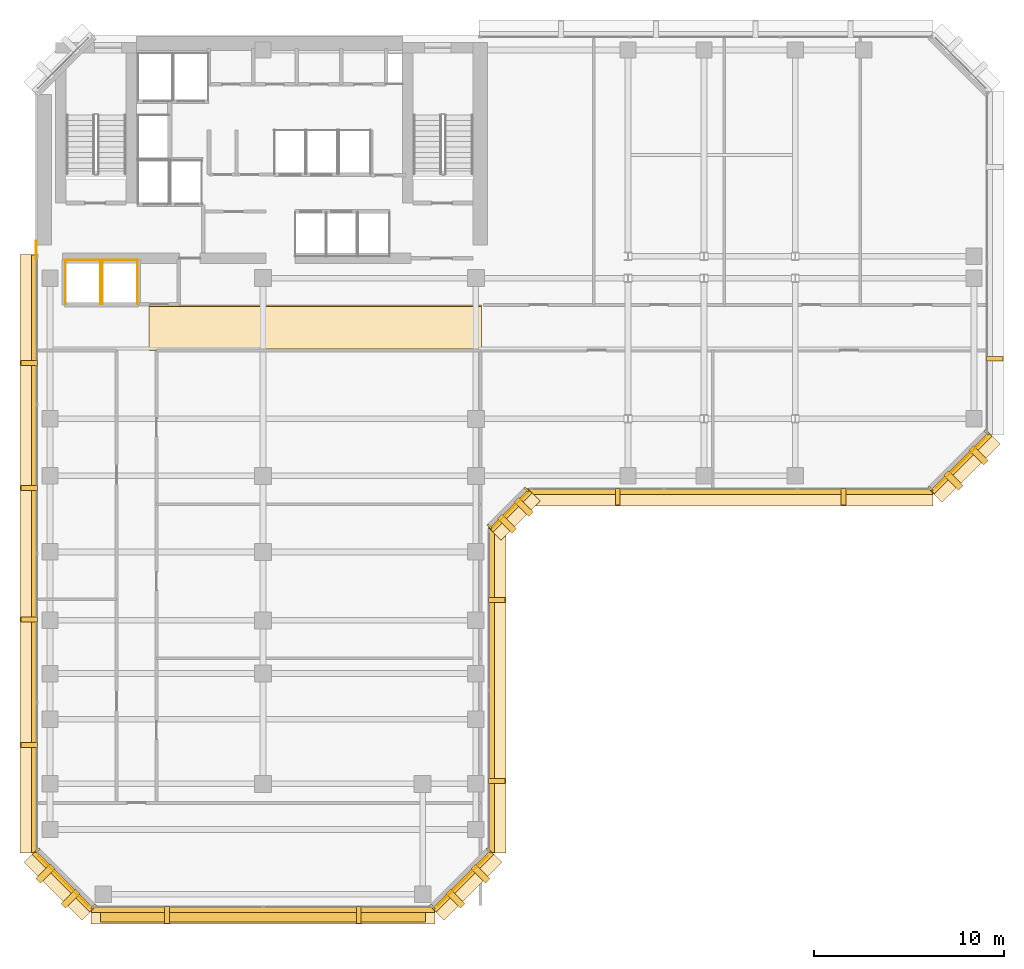
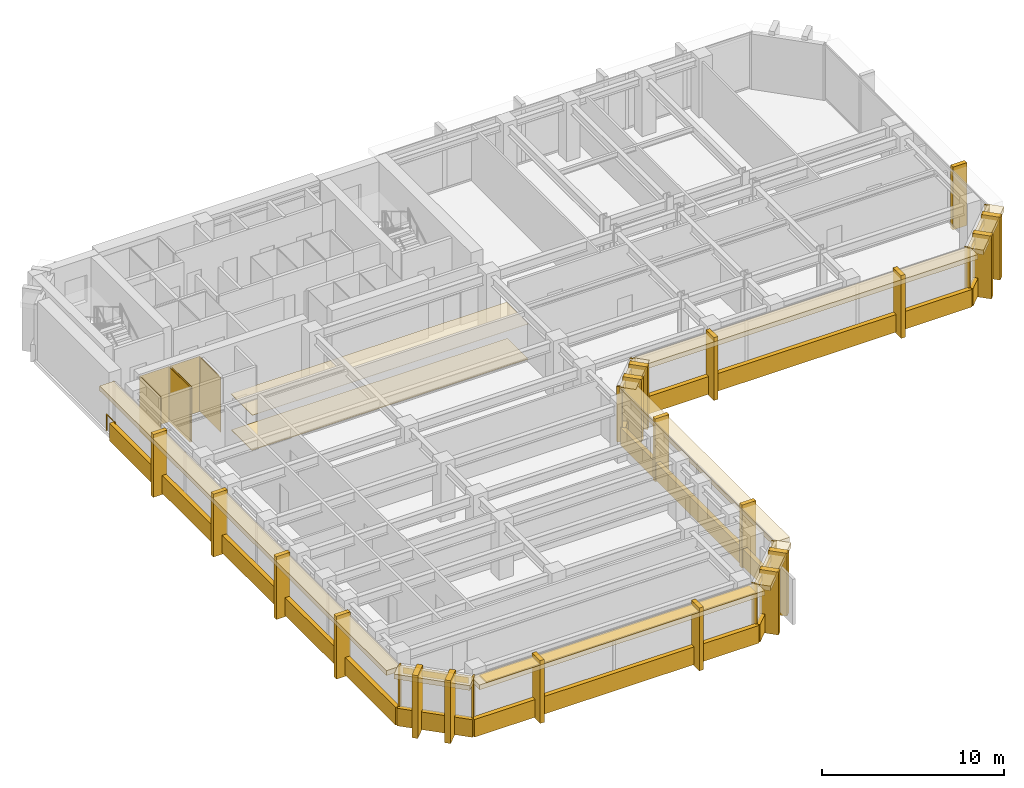
# One storey, part 9 of 11: 55 coverings, 1 railing, 1 shading device.
"""IFC4 building model written with IfcOpenShell, lengths in metres."""

from ifc_helpers import new_model, si_unit, direction, frame, origin, origin_2d, place, context, subcontext, project, spatial, polyline, rectangle, circle, outline, extrude, material, layer, layer_set, type_object, element, save


model = new_model("IFC4")

# Units and contexts
model_context = context("Model", 3, precision=1e-05, world=origin(), true_north=direction((0.0, 1.0)))
body_context = subcontext(model_context, "Body", "Model", "MODEL_VIEW")
ifc_project = project(units=[si_unit("LENGTHUNIT", "METRE"), si_unit("AREAUNIT", "SQUARE_METRE"), si_unit("VOLUMEUNIT", "CUBIC_METRE"), si_unit("PLANEANGLEUNIT", "RADIAN"), si_unit("MASSUNIT", "GRAM", prefix="KILO")], contexts=[model_context])

# Site, building, storey
site_placement = place(None, origin())
site = spatial("IfcSite", under=ifc_project, at=site_placement, CompositionType="ELEMENT")
building_placement = place(site_placement, origin())
building = spatial("IfcBuilding", under=site, at=building_placement, Name="Kefirva Bronze Tower", CompositionType="ELEMENT")
storey_placement = place(building_placement, frame((0.0, 0.0, 134.969970703125)))
storey = spatial("IfcBuildingStorey", under=building, at=storey_placement, Name="L32", CompositionType="ELEMENT", Elevation=134.969970703125)

# Coverings
ifc_material_1 = material(Name="Acoustic mineral tile")
ifc_layer_1 = layer(ifc_material_1, 0.02490234375, Name="Acoustic mineral tile")
ifc_layer_set_1 = layer_set([ifc_layer_1], Name="Acoustic mineral tile")
covering_type_1 = type_object("IfcCoveringType", Name="Acoustic Mineral Suspended Ceiling 25mm", PredefinedType="CEILING", material=ifc_layer_set_1)
covering_1_placement = place(storey_placement, frame((0.0, 0.0, 2.400146484375)))
element("IfcCovering", 1, at=covering_1_placement, inside=storey, type_object=covering_type_1, Name="L32 Corridor Acoustic Ceiling", PredefinedType="CEILING", context=body_context, shape_type="SweptSolid", body=[
    extrude(outline(polyline([(6.0, 29.39990234375), (23.5, 29.39990234375), (23.5, 31.800048828125), (6.0, 31.800048828125), (6.0, 29.39990234375)])), origin(), (0.0, 0.0, 1.0), 0.02490234375),
])
ifc_material_2 = material(Name="Bronze anodised aluminium", Category="aluminium")
ifc_layer_2 = layer(ifc_material_2, 0.02001953125, Name="Bronze anodised aluminium")
ifc_layer_set_2 = layer_set([ifc_layer_2], Name="Bronze anodised aluminium")
covering_type_2 = type_object("IfcCoveringType", Name="Anodised Bronze Spandrel Cladding 20mm", PredefinedType="CLADDING", material=ifc_layer_set_2)
covering_2_placement = place(storey_placement, frame((12.0, -0.0400390625, -0.16015625), z_axis=(0.0, 0.0, 1.0), x_axis=(1.0, 0.0, 0.0)))
element("IfcCovering", 2, at=covering_2_placement, inside=storey, type_object=covering_type_2, Name="L32 Streamline Horizontal Spandrel Band 0", PredefinedType="CLADDING", context=body_context, shape_type="SweptSolid", body=[
    extrude(rectangle(XDim=18.0400390625, YDim=0.280029296875, at=origin_2d()), origin(), (0.0, 0.0, 1.0), 1.179931640625),
])
covering_3_placement = place(storey_placement, frame((22.507080078125, 1.492919921875, 3.2900390625), z_axis=(0.0, 0.0, 1.0), x_axis=(0.707106781187, 0.707106781187, 0.0)))
element("IfcCovering", 3, at=covering_3_placement, inside=storey, type_object=covering_type_2, Name="L32 Bronze Spandrel Cladding 1", PredefinedType="CLADDING", context=body_context, shape_type="SweptSolid", body=[
    extrude(rectangle(XDim=3.719482421875, YDim=0.02001953125, at=origin_2d()), origin(), (0.0, 0.0, 1.0), 0.39990234375),
])
for number, where, z_axis, x_axis, name in (
    (4, (20.91162109375, 0.137939453125, 0.0), (0.0, 0.0, 1.0), (0.707106781187, 0.707106781187, 0.0), "L32 Facade Joint Closure Panel 1S"),
    (5, (23.862060546875, 3.08837890625, 0.0), (0.0, 0.0, 1.0), (0.707106781187, 0.707106781187, 0.0), "L32 Facade Joint Closure Panel 1E"),
):
    element("IfcCovering", number, at=place(storey_placement, frame(where, z_axis=z_axis, x_axis=x_axis)), inside=storey, type_object=covering_type_2, Name=name, PredefinedType="CLADDING", context=body_context, shape_type="SweptSolid", body=[
        extrude(rectangle(XDim=0.10009765625, YDim=0.320068359375, at=origin_2d()), origin(), (0.0, 0.0, 1.0), 3.7099609375),
    ])
covering_4_placement = place(storey_placement, frame((22.5283203125, 1.4716796875, -0.16015625), z_axis=(0.0, 0.0, 1.0), x_axis=(0.707106781187, 0.707106781187, 0.0)))
element("IfcCovering", 6, at=covering_4_placement, inside=storey, type_object=covering_type_2, Name="L32 Streamline Horizontal Spandrel Band 1", PredefinedType="CLADDING", context=body_context, shape_type="SweptSolid", body=[
    extrude(rectangle(XDim=4.28271484375, YDim=0.280029296875, at=origin_2d()), origin(), (0.0, 0.0, 1.0), 1.179931640625),
])
covering_5_placement = place(storey_placement, frame((24.0400390625, 11.5, -0.16015625), z_axis=(0.0, 0.0, 1.0), x_axis=(0.0, 1.0, 0.0)))
element("IfcCovering", 7, at=covering_5_placement, inside=storey, type_object=covering_type_2, Name="L32 Streamline Horizontal Spandrel Band 2", PredefinedType="CLADDING", context=body_context, shape_type="SweptSolid", body=[
    extrude(rectangle(XDim=17.0400390625, YDim=0.280029296875, at=origin_2d()), origin(), (0.0, 0.0, 1.0), 1.179931640625),
])
covering_6_placement = place(storey_placement, frame((25.007080078125, 20.992919921875, 3.2900390625), z_axis=(0.0, 0.0, 1.0), x_axis=(0.707106781187, 0.707106781187, 0.0)))
element("IfcCovering", 8, at=covering_6_placement, inside=storey, type_object=covering_type_2, Name="L32 Bronze Spandrel Cladding 2", PredefinedType="CLADDING", context=body_context, shape_type="SweptSolid", body=[
    extrude(rectangle(XDim=2.446533203125, YDim=0.02001953125, at=origin_2d()), origin(), (0.0, 0.0, 1.0), 0.39990234375),
])
for number, where, z_axis, x_axis, name in (
    (9, (23.91162109375, 20.137939453125, 0.0), (0.0, 0.0, 1.0), (0.707106781187, 0.707106781187, 0.0), "L32 Facade Joint Closure Panel 2S"),
    (10, (25.862060546875, 22.08837890625, 0.0), (0.0, 0.0, 1.0), (0.707106781187, 0.707106781187, 0.0), "L32 Facade Joint Closure Panel 2E"),
):
    element("IfcCovering", number, at=place(storey_placement, frame(where, z_axis=z_axis, x_axis=x_axis)), inside=storey, type_object=covering_type_2, Name=name, PredefinedType="CLADDING", context=body_context, shape_type="SweptSolid", body=[
        extrude(rectangle(XDim=0.10009765625, YDim=0.320068359375, at=origin_2d()), origin(), (0.0, 0.0, 1.0), 3.7099609375),
    ])
covering_7_placement = place(storey_placement, frame((25.0283203125, 20.9716796875, -0.16015625), z_axis=(0.0, 0.0, 1.0), x_axis=(0.707106781187, 0.707106781187, 0.0)))
element("IfcCovering", 11, at=covering_7_placement, inside=storey, type_object=covering_type_2, Name="L32 Streamline Horizontal Spandrel Band 3", PredefinedType="CLADDING", context=body_context, shape_type="SweptSolid", body=[
    extrude(rectangle(XDim=2.868408203125, YDim=0.280029296875, at=origin_2d()), origin(), (0.0, 0.0, 1.0), 1.179931640625),
])
covering_8_placement = place(storey_placement, frame((36.60009765625, 21.9599609375, -0.16015625), z_axis=(0.0, 0.0, 1.0), x_axis=(1.0, 0.0, 0.0)))
element("IfcCovering", 12, at=covering_8_placement, inside=storey, type_object=covering_type_2, Name="L32 Streamline Horizontal Spandrel Band 4", PredefinedType="CLADDING", context=body_context, shape_type="SweptSolid", body=[
    extrude(rectangle(XDim=21.239990234375, YDim=0.280029296875, at=origin_2d()), origin(), (0.0, 0.0, 1.0), 1.179931640625),
])
covering_9_placement = place(storey_placement, frame((48.70703125, 23.492919921875, 3.2900390625), z_axis=(0.0, 0.0, 1.0), x_axis=(0.707106781187, 0.707106781187, 0.0)))
element("IfcCovering", 13, at=covering_9_placement, inside=storey, type_object=covering_type_2, Name="L32 Bronze Spandrel Cladding 3", PredefinedType="CLADDING", context=body_context, shape_type="SweptSolid", body=[
    extrude(rectangle(XDim=3.719482421875, YDim=0.02001953125, at=origin_2d()), origin(), (0.0, 0.0, 1.0), 0.39990234375),
])
for number, where, z_axis, x_axis, name in (
    (14, (47.11181640625, 22.137939453125, 0.0), (0.0, 0.0, 1.0), (0.707106781187, 0.707106781187, 0.0), "L32 Facade Joint Closure Panel 3S"),
    (15, (50.06201171875, 25.08837890625, 0.0), (0.0, 0.0, 1.0), (0.707106781187, 0.707106781187, 0.0), "L32 Facade Joint Closure Panel 3E"),
):
    element("IfcCovering", number, at=place(storey_placement, frame(where, z_axis=z_axis, x_axis=x_axis)), inside=storey, type_object=covering_type_2, Name=name, PredefinedType="CLADDING", context=body_context, shape_type="SweptSolid", body=[
        extrude(rectangle(XDim=0.10009765625, YDim=0.320068359375, at=origin_2d()), origin(), (0.0, 0.0, 1.0), 3.7099609375),
    ])
covering_10_placement = place(storey_placement, frame((48.728271484375, 23.4716796875, -0.16015625), z_axis=(0.0, 0.0, 1.0), x_axis=(0.707106781187, 0.707106781187, 0.0)))
element("IfcCovering", 16, at=covering_10_placement, inside=storey, type_object=covering_type_2, Name="L32 Streamline Horizontal Spandrel Band 5", PredefinedType="CLADDING", context=body_context, shape_type="SweptSolid", body=[
    extrude(rectangle(XDim=4.28271484375, YDim=0.280029296875, at=origin_2d()), origin(), (0.0, 0.0, 1.0), 1.179931640625),
])
covering_11_placement = place(storey_placement, frame((-0.0400390625, 18.697509765625, -0.16015625), z_axis=(0.0, 0.0, 1.0), x_axis=(0.0, -1.0, 0.0)))
element("IfcCovering", 17, at=covering_11_placement, inside=storey, type_object=covering_type_2, Name="L32 Streamline Horizontal Spandrel Band 10", PredefinedType="CLADDING", context=body_context, shape_type="SweptSolid", body=[
    extrude(rectangle(XDim=31.43505859375, YDim=0.280029296875, at=origin_2d()), origin(), (0.0, 0.0, 1.0), 1.179931640625),
])
covering_12_placement = place(storey_placement, frame((1.492919921875, 1.492919921875, 3.2900390625), z_axis=(0.0, 0.0, 1.0), x_axis=(0.707106781187, -0.707106781187, 0.0)))
element("IfcCovering", 18, at=covering_12_placement, inside=storey, type_object=covering_type_2, Name="L32 Bronze Spandrel Cladding 6", PredefinedType="CLADDING", context=body_context, shape_type="SweptSolid", body=[
    extrude(rectangle(XDim=3.719482421875, YDim=0.02001953125, at=origin_2d()), origin(), (0.0, 0.0, 1.0), 0.39990234375),
])
for number, where, z_axis, x_axis, name in (
    (19, (0.137939453125, 3.08837890625, 0.0), (0.0, 0.0, 1.0), (0.707106781187, -0.707106781187, 0.0), "L32 Facade Joint Closure Panel 6S"),
    (20, (3.08837890625, 0.137939453125, 0.0), (0.0, 0.0, 1.0), (0.707106781187, -0.707106781187, 0.0), "L32 Facade Joint Closure Panel 6E"),
):
    element("IfcCovering", number, at=place(storey_placement, frame(where, z_axis=z_axis, x_axis=x_axis)), inside=storey, type_object=covering_type_2, Name=name, PredefinedType="CLADDING", context=body_context, shape_type="SweptSolid", body=[
        extrude(rectangle(XDim=0.10009765625, YDim=0.320068359375, at=origin_2d()), origin(), (0.0, 0.0, 1.0), 3.7099609375),
    ])
covering_13_placement = place(storey_placement, frame((1.4716796875, 1.4716796875, -0.16015625), z_axis=(0.0, 0.0, 1.0), x_axis=(0.707106781187, -0.707106781187, 0.0)))
element("IfcCovering", 21, at=covering_13_placement, inside=storey, type_object=covering_type_2, Name="L32 Streamline Horizontal Spandrel Band 11", PredefinedType="CLADDING", context=body_context, shape_type="SweptSolid", body=[
    extrude(rectangle(XDim=4.28271484375, YDim=0.280029296875, at=origin_2d()), origin(), (0.0, 0.0, 1.0), 1.179931640625),
])
covering_14_placement = place(storey_placement, origin())
element("IfcCovering", 22, at=covering_14_placement, inside=storey, type_object=covering_type_2, Name="L32 Lift OB1 Hoistway Liner N", PredefinedType="CLADDING", context=body_context, shape_type="SweptSolid", body=[
    extrude(outline(polyline([(1.580078125, 34.139892578125), (3.469970703125, 34.139892578125), (3.469970703125, 34.159912109375), (1.580078125, 34.159912109375), (1.580078125, 34.139892578125)])), origin(), (0.0, 0.0, 1.0), 3.7099609375),
])
covering_15_placement = place(storey_placement, origin())
element("IfcCovering", 23, at=covering_15_placement, inside=storey, type_object=covering_type_2, Name="L32 Lift OB1 Hoistway Liner W", PredefinedType="CLADDING", context=body_context, shape_type="SweptSolid", body=[
    extrude(outline(polyline([(1.590087890625, 31.830078125), (1.610107421875, 31.830078125), (1.610107421875, 34.169921875), (1.590087890625, 34.169921875), (1.590087890625, 31.830078125)])), origin(), (0.0, 0.0, 1.0), 3.7099609375),
])
covering_16_placement = place(storey_placement, origin())
element("IfcCovering", 24, at=covering_16_placement, inside=storey, type_object=covering_type_2, Name="L32 Lift OB1 Hoistway Liner E", PredefinedType="CLADDING", context=body_context, shape_type="SweptSolid", body=[
    extrude(outline(polyline([(3.43994140625, 31.830078125), (3.4599609375, 31.830078125), (3.4599609375, 34.169921875), (3.43994140625, 34.169921875), (3.43994140625, 31.830078125)])), origin(), (0.0, 0.0, 1.0), 3.7099609375),
])
covering_17_placement = place(storey_placement, origin())
element("IfcCovering", 25, at=covering_17_placement, inside=storey, type_object=covering_type_2, Name="L32 Lift OB2 Hoistway Liner N", PredefinedType="CLADDING", context=body_context, shape_type="SweptSolid", body=[
    extrude(outline(polyline([(3.530029296875, 34.139892578125), (5.419921875, 34.139892578125), (5.419921875, 34.159912109375), (3.530029296875, 34.159912109375), (3.530029296875, 34.139892578125)])), origin(), (0.0, 0.0, 1.0), 3.7099609375),
])
covering_18_placement = place(storey_placement, origin())
element("IfcCovering", 26, at=covering_18_placement, inside=storey, type_object=covering_type_2, Name="L32 Lift OB2 Hoistway Liner W", PredefinedType="CLADDING", context=body_context, shape_type="SweptSolid", body=[
    extrude(outline(polyline([(3.5400390625, 31.830078125), (3.56005859375, 31.830078125), (3.56005859375, 34.169921875), (3.5400390625, 34.169921875), (3.5400390625, 31.830078125)])), origin(), (0.0, 0.0, 1.0), 3.7099609375),
])
covering_19_placement = place(storey_placement, origin())
element("IfcCovering", 27, at=covering_19_placement, inside=storey, type_object=covering_type_2, Name="L32 Lift OB2 Hoistway Liner E", PredefinedType="CLADDING", context=body_context, shape_type="SweptSolid", body=[
    extrude(outline(polyline([(5.389892578125, 31.830078125), (5.409912109375, 31.830078125), (5.409912109375, 34.169921875), (5.389892578125, 34.169921875), (5.389892578125, 31.830078125)])), origin(), (0.0, 0.0, 1.0), 3.7099609375),
])

# Shading device
ifc_layer_3 = layer(ifc_material_2, 0.090087890625, Name="Bronze anodised aluminium")
ifc_layer_set_3 = layer_set([ifc_layer_3], Name="Bronze anodised aluminium")
shading_device_type = type_object("IfcShadingDeviceType", Name="Horizontal Bronze Sunshade Band 750mm", PredefinedType="JALOUSIE", material=ifc_layer_set_3)
shading_device_placement = place(storey_placement, frame((12.0, -0.294921875, 3.60498046875), z_axis=(0.0, 0.0, 1.0), x_axis=(1.0, 0.0, 0.0)))
element("IfcShadingDevice", 28, at=shading_device_placement, inside=storey, type_object=shading_device_type, Name="L32 Horizontal Bronze Sunshade Band 0", PredefinedType="JALOUSIE", context=body_context, shape_type="SweptSolid", body=[
    extrude(rectangle(XDim=17.090087890625, YDim=0.75, at=origin_2d()), origin(), (0.0, 0.0, 1.0), 0.090087890625),
])

# Railing
ifc_material_3 = material(Name="Stainless steel 316", Category="steel")
railing_type = type_object("IfcRailingType", Name="Interior Stair Guardrail 1100mm", PredefinedType="GUARDRAIL", material=ifc_material_3)
railing_placement = place(storey_placement, frame((0.080078125, 34.199951171875, 0.0)))
element("IfcRailing", 29, at=railing_placement, inside=storey, type_object=railing_type, Name="L32 West Core Junction Guardrail", PredefinedType="GUARDRAIL", context=body_context, shape_type="SweptSolid", body=[
    extrude(circle(Radius=0.02392578125, at=origin_2d()), frame((0.0, 0.0, 1.076171875), z_axis=(0.0, 1.0, 0.0), x_axis=(-1.0, 0.0, 0.0)), (0.0, 0.0, 1.0), 0.949951171875),
    extrude(circle(Radius=0.02099609375, at=origin_2d()), origin(), (0.0, 0.0, 1.0), 1.052001953125),
    extrude(circle(Radius=0.02099609375, at=origin_2d()), frame((0.0, 0.949951171875, 0.0)), (0.0, 0.0, 1.0), 1.052001953125),
])

# Coverings
ifc_material_4 = material(Name="Calcium sulphate access tile")
ifc_layer_4 = layer(ifc_material_4, 0.044921875, Name="Calcium sulphate access tile")
ifc_layer_set_4 = layer_set([ifc_layer_4], Name="Calcium sulphate access tile")
covering_type_3 = type_object("IfcCoveringType", Name="Raised Access Office Flooring 45mm", PredefinedType="FLOORING", material=ifc_layer_set_4)
covering_20_placement = place(storey_placement, origin())
element("IfcCovering", 30, at=covering_20_placement, inside=storey, type_object=covering_type_3, Name="L32 Architectural Finish Flooring", PredefinedType="FLOORING", context=body_context, shape_type="SweptSolid", body=[
    extrude(outline(polyline([(6.0, 29.47998046875), (23.5, 29.47998046875), (23.5, 31.719970703125), (6.0, 31.719970703125), (6.0, 29.47998046875)])), origin(), (0.0, 0.0, 1.0), 0.044921875),
])
ifc_layer_5 = layer(ifc_material_2, 0.179931640625, Name="Bronze anodised aluminium")
ifc_layer_set_5 = layer_set([ifc_layer_5], Name="Bronze anodised aluminium")
covering_type_4 = type_object("IfcCoveringType", Name="Streamline Bronze Sunshade Eyebrow Cladding 180mm", PredefinedType="CLADDING", material=ifc_layer_set_5)
covering_21_placement = place(storey_placement, frame((12.0, -0.31005859375, 3.39013671875), z_axis=(0.0, 0.0, 1.0), x_axis=(1.0, 0.0, 0.0)))
element("IfcCovering", 31, at=covering_21_placement, inside=storey, type_object=covering_type_4, Name="L32 Streamline Bronze Sunshade Eyebrow 0", PredefinedType="CLADDING", context=body_context, shape_type="SweptSolid", body=[
    extrude(rectangle(XDim=18.080078125, YDim=0.93994140625, at=origin_2d()), origin(), (0.0, 0.0, 1.0), 0.320068359375),
])
covering_22_placement = place(storey_placement, frame((22.71923828125, 1.28076171875, 3.39013671875), z_axis=(0.0, 0.0, 1.0), x_axis=(0.707106781187, 0.707106781187, 0.0)))
element("IfcCovering", 32, at=covering_22_placement, inside=storey, type_object=covering_type_4, Name="L32 Streamline Bronze Sunshade Eyebrow 1", PredefinedType="CLADDING", context=body_context, shape_type="SweptSolid", body=[
    extrude(rectangle(XDim=4.322509765625, YDim=0.93994140625, at=origin_2d()), origin(), (0.0, 0.0, 1.0), 0.320068359375),
])
covering_23_placement = place(storey_placement, frame((24.31005859375, 11.5, 3.39013671875), z_axis=(0.0, 0.0, 1.0), x_axis=(0.0, 1.0, 0.0)))
element("IfcCovering", 33, at=covering_23_placement, inside=storey, type_object=covering_type_4, Name="L32 Streamline Bronze Sunshade Eyebrow 2", PredefinedType="CLADDING", context=body_context, shape_type="SweptSolid", body=[
    extrude(rectangle(XDim=17.080078125, YDim=0.93994140625, at=origin_2d()), origin(), (0.0, 0.0, 1.0), 0.320068359375),
])
covering_24_placement = place(storey_placement, frame((25.21923828125, 20.78076171875, 3.39013671875), z_axis=(0.0, 0.0, 1.0), x_axis=(0.707106781187, 0.707106781187, 0.0)))
element("IfcCovering", 34, at=covering_24_placement, inside=storey, type_object=covering_type_4, Name="L32 Streamline Bronze Sunshade Eyebrow 3", PredefinedType="CLADDING", context=body_context, shape_type="SweptSolid", body=[
    extrude(rectangle(XDim=2.908447265625, YDim=0.93994140625, at=origin_2d()), origin(), (0.0, 0.0, 1.0), 0.320068359375),
])
covering_25_placement = place(storey_placement, frame((36.60009765625, 21.68994140625, 3.39013671875), z_axis=(0.0, 0.0, 1.0), x_axis=(1.0, 0.0, 0.0)))
element("IfcCovering", 35, at=covering_25_placement, inside=storey, type_object=covering_type_4, Name="L32 Streamline Bronze Sunshade Eyebrow 4", PredefinedType="CLADDING", context=body_context, shape_type="SweptSolid", body=[
    extrude(rectangle(XDim=21.280029296875, YDim=0.93994140625, at=origin_2d()), origin(), (0.0, 0.0, 1.0), 0.320068359375),
])
covering_26_placement = place(storey_placement, frame((48.919189453125, 23.28076171875, 3.39013671875), z_axis=(0.0, 0.0, 1.0), x_axis=(0.707106781187, 0.707106781187, 0.0)))
element("IfcCovering", 36, at=covering_26_placement, inside=storey, type_object=covering_type_4, Name="L32 Streamline Bronze Sunshade Eyebrow 5", PredefinedType="CLADDING", context=body_context, shape_type="SweptSolid", body=[
    extrude(rectangle(XDim=4.322509765625, YDim=0.93994140625, at=origin_2d()), origin(), (0.0, 0.0, 1.0), 0.320068359375),
])
covering_27_placement = place(storey_placement, frame((-0.31005859375, 18.697509765625, 3.39013671875), z_axis=(0.0, 0.0, 1.0), x_axis=(0.0, -1.0, 0.0)))
element("IfcCovering", 37, at=covering_27_placement, inside=storey, type_object=covering_type_4, Name="L32 Streamline Bronze Sunshade Eyebrow 10", PredefinedType="CLADDING", context=body_context, shape_type="SweptSolid", body=[
    extrude(rectangle(XDim=31.47509765625, YDim=0.93994140625, at=origin_2d()), origin(), (0.0, 0.0, 1.0), 0.320068359375),
])
covering_28_placement = place(storey_placement, frame((1.28076171875, 1.28076171875, 3.39013671875), z_axis=(0.0, 0.0, 1.0), x_axis=(0.707106781187, -0.707106781187, 0.0)))
element("IfcCovering", 38, at=covering_28_placement, inside=storey, type_object=covering_type_4, Name="L32 Streamline Bronze Sunshade Eyebrow 11", PredefinedType="CLADDING", context=body_context, shape_type="SweptSolid", body=[
    extrude(rectangle(XDim=4.322509765625, YDim=0.93994140625, at=origin_2d()), origin(), (0.0, 0.0, 1.0), 0.320068359375),
])
ifc_layer_6 = layer(ifc_material_2, 0.260009765625, Name="Bronze anodised aluminium")
ifc_layer_set_6 = layer_set([ifc_layer_6], Name="Bronze anodised aluminium")
covering_type_5 = type_object("IfcCoveringType", Name="Unbroken Bronze Buttress Fin Cladding 260mm", PredefinedType="CLADDING", material=ifc_layer_set_6)
for number, where, z_axis, x_axis, name in (
    (39, (6.9599609375, -0.300048828125, -0.25), (0.0, 0.0, 1.0), (1.0, 0.0, 0.0), "L32 Unbroken Vertical Bronze Rib Fin 1"),
    (40, (17.0400390625, -0.300048828125, -0.25), (0.0, 0.0, 1.0), (1.0, 0.0, 0.0), "L32 Unbroken Vertical Bronze Rib Fin 2"),
):
    element("IfcCovering", number, at=place(storey_placement, frame(where, z_axis=z_axis, x_axis=x_axis)), inside=storey, type_object=covering_type_5, Name=name, PredefinedType="CLADDING", context=body_context, shape_type="SweptSolid", body=[
        extrude(rectangle(XDim=0.260009765625, YDim=0.8798828125, at=origin_2d()), origin(), (0.0, 0.0, 1.0), 4.2099609375),
    ])
for number, where, z_axis, x_axis, name in (
    (41, (22.122802734375, 0.55712890625, -0.25), (0.0, 0.0, 1.0), (0.707106781187, 0.707106781187, 0.0), "L32 Chamfered Corner Buttress Fin Cladding 3"),
    (42, (23.44287109375, 1.877197265625, -0.25), (0.0, 0.0, 1.0), (0.707106781187, 0.707106781187, 0.0), "L32 Chamfered Corner Buttress Fin Cladding 4"),
):
    element("IfcCovering", number, at=place(storey_placement, frame(where, z_axis=z_axis, x_axis=x_axis)), inside=storey, type_object=covering_type_5, Name=name, PredefinedType="CLADDING", context=body_context, shape_type="SweptSolid", body=[
        extrude(rectangle(XDim=0.340087890625, YDim=1.080078125, at=origin_2d()), origin(), (0.0, 0.0, 1.0), 4.2099609375),
    ])
for number, where, z_axis, x_axis, name in (
    (43, (24.300048828125, 6.739990234375, -0.25), (0.0, 0.0, 1.0), (0.0, 1.0, 0.0), "L32 Unbroken Vertical Bronze Rib Fin 5"),
    (44, (24.300048828125, 16.260009765625, -0.25), (0.0, 0.0, 1.0), (0.0, 1.0, 0.0), "L32 Unbroken Vertical Bronze Rib Fin 6"),
):
    element("IfcCovering", number, at=place(storey_placement, frame(where, z_axis=z_axis, x_axis=x_axis)), inside=storey, type_object=covering_type_5, Name=name, PredefinedType="CLADDING", context=body_context, shape_type="SweptSolid", body=[
        extrude(rectangle(XDim=0.260009765625, YDim=0.8798828125, at=origin_2d()), origin(), (0.0, 0.0, 1.0), 4.2099609375),
    ])
for number, where, z_axis, x_axis, name in (
    (45, (24.8427734375, 20.277099609375, -0.25), (0.0, 0.0, 1.0), (0.707106781187, 0.707106781187, 0.0), "L32 Chamfered Corner Buttress Fin Cladding 7"),
    (46, (25.722900390625, 21.1572265625, -0.25), (0.0, 0.0, 1.0), (0.707106781187, 0.707106781187, 0.0), "L32 Chamfered Corner Buttress Fin Cladding 8"),
):
    element("IfcCovering", number, at=place(storey_placement, frame(where, z_axis=z_axis, x_axis=x_axis)), inside=storey, type_object=covering_type_5, Name=name, PredefinedType="CLADDING", context=body_context, shape_type="SweptSolid", body=[
        extrude(rectangle(XDim=0.340087890625, YDim=1.080078125, at=origin_2d()), origin(), (0.0, 0.0, 1.0), 4.2099609375),
    ])
for number, where, z_axis, x_axis, name in (
    (47, (30.6640625, 21.699951171875, -0.25), (0.0, 0.0, 1.0), (1.0, 0.0, 0.0), "L32 Unbroken Vertical Bronze Rib Fin 9"),
    (48, (42.535888671875, 21.699951171875, -0.25), (0.0, 0.0, 1.0), (1.0, 0.0, 0.0), "L32 Unbroken Vertical Bronze Rib Fin 10"),
):
    element("IfcCovering", number, at=place(storey_placement, frame(where, z_axis=z_axis, x_axis=x_axis)), inside=storey, type_object=covering_type_5, Name=name, PredefinedType="CLADDING", context=body_context, shape_type="SweptSolid", body=[
        extrude(rectangle(XDim=0.260009765625, YDim=0.8798828125, at=origin_2d()), origin(), (0.0, 0.0, 1.0), 4.2099609375),
    ])
for number, where, z_axis, x_axis, name in (
    (49, (48.32275390625, 22.55712890625, -0.25), (0.0, 0.0, 1.0), (0.707106781187, 0.707106781187, 0.0), "L32 Chamfered Corner Buttress Fin Cladding 11"),
    (50, (49.642822265625, 23.877197265625, -0.25), (0.0, 0.0, 1.0), (0.707106781187, 0.707106781187, 0.0), "L32 Chamfered Corner Buttress Fin Cladding 12"),
):
    element("IfcCovering", number, at=place(storey_placement, frame(where, z_axis=z_axis, x_axis=x_axis)), inside=storey, type_object=covering_type_5, Name=name, PredefinedType="CLADDING", context=body_context, shape_type="SweptSolid", body=[
        extrude(rectangle(XDim=0.340087890625, YDim=1.080078125, at=origin_2d()), origin(), (0.0, 0.0, 1.0), 4.2099609375),
    ])
for number, where, z_axis, x_axis, name in (
    (51, (50.5, 28.9599609375, -0.25), (0.0, 0.0, 1.0), (0.0, 1.0, 0.0), "L32 Unbroken Vertical Bronze Rib Fin 13"),
    (52, (-0.300048828125, 28.743896484375, -0.25), (0.0, 0.0, 1.0), (0.0, -1.0, 0.0), "L32 Unbroken Vertical Bronze Rib Fin 23"),
    (53, (-0.300048828125, 22.15087890625, -0.25), (0.0, 0.0, 1.0), (0.0, -1.0, 0.0), "L32 Unbroken Vertical Bronze Rib Fin 24"),
    (54, (-0.300048828125, 15.244140625, -0.25), (0.0, 0.0, 1.0), (0.0, -1.0, 0.0), "L32 Unbroken Vertical Bronze Rib Fin 25"),
    (55, (-0.300048828125, 8.651123046875, -0.25), (0.0, 0.0, 1.0), (0.0, -1.0, 0.0), "L32 Unbroken Vertical Bronze Rib Fin 26"),
):
    element("IfcCovering", number, at=place(storey_placement, frame(where, z_axis=z_axis, x_axis=x_axis)), inside=storey, type_object=covering_type_5, Name=name, PredefinedType="CLADDING", context=body_context, shape_type="SweptSolid", body=[
        extrude(rectangle(XDim=0.260009765625, YDim=0.8798828125, at=origin_2d()), origin(), (0.0, 0.0, 1.0), 4.2099609375),
    ])
for number, where, z_axis, x_axis, name in (
    (56, (0.55712890625, 1.877197265625, -0.25), (0.0, 0.0, 1.0), (0.707106781187, -0.707106781187, 0.0), "L32 Chamfered Corner Buttress Fin Cladding 27"),
    (57, (1.877197265625, 0.55712890625, -0.25), (0.0, 0.0, 1.0), (0.707106781187, -0.707106781187, 0.0), "L32 Chamfered Corner Buttress Fin Cladding 28"),
):
    element("IfcCovering", number, at=place(storey_placement, frame(where, z_axis=z_axis, x_axis=x_axis)), inside=storey, type_object=covering_type_5, Name=name, PredefinedType="CLADDING", context=body_context, shape_type="SweptSolid", body=[
        extrude(rectangle(XDim=0.340087890625, YDim=1.080078125, at=origin_2d()), origin(), (0.0, 0.0, 1.0), 4.2099609375),
    ])

save(model, "model.ifc")
